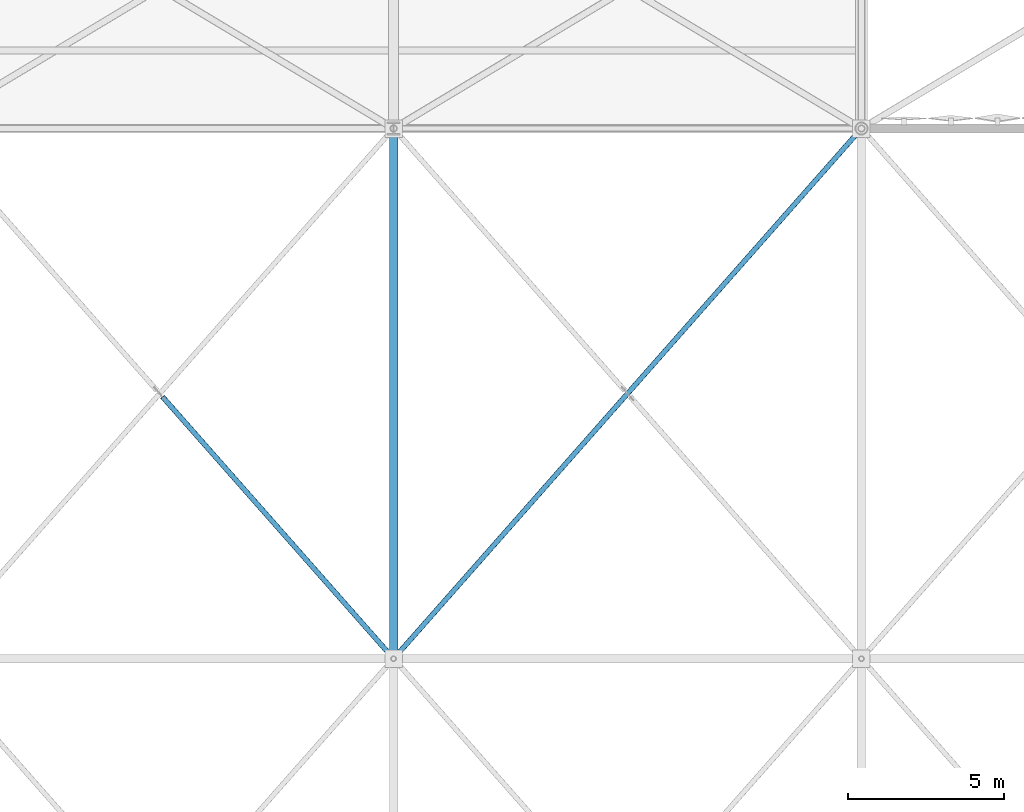
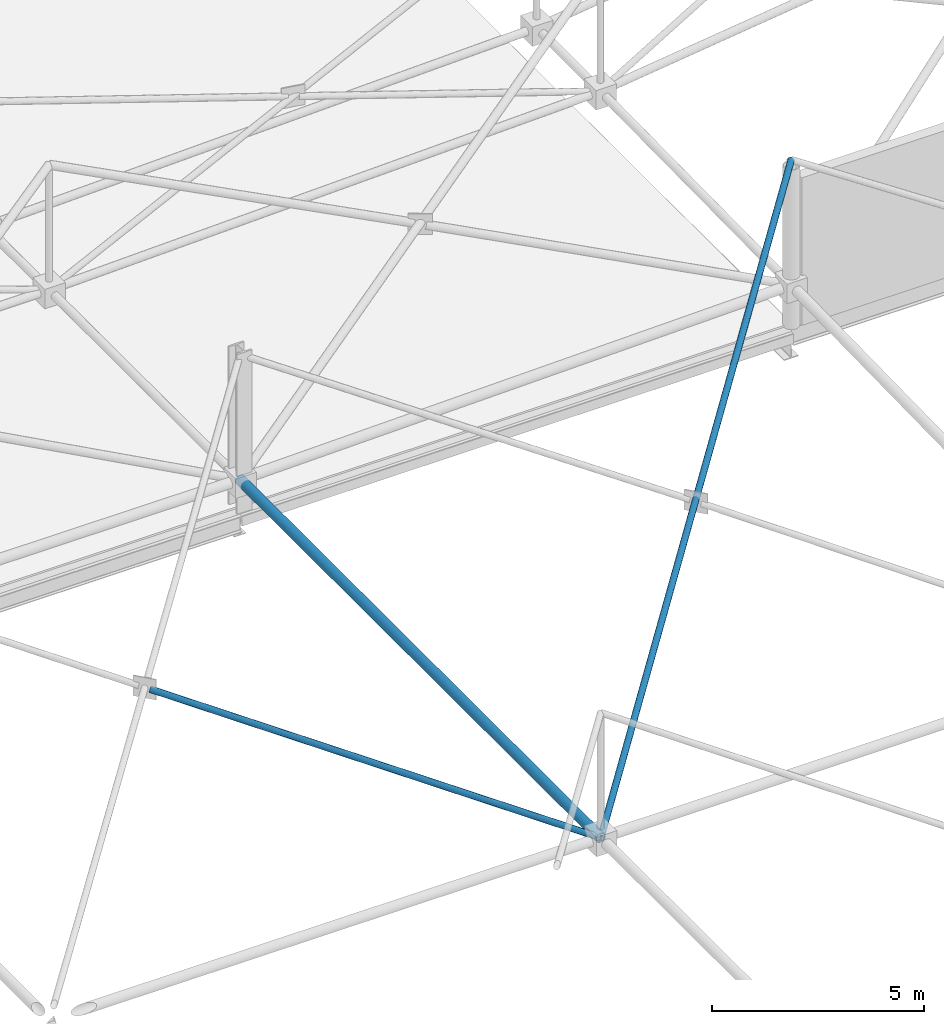
# One storey, part 102 of 224: 3 members.
"""IFC4 building model written with IfcOpenShell, lengths in metres."""

from ifc_helpers import new_model, si_unit, direction, frame, origin, origin_2d, place, context, subcontext, project, spatial, hollow_circle, extrude, material, material_profile, profile_set, type_object, element, save


model = new_model("IFC4")

# Units and contexts
model_context = context("Model", 3, precision=1e-05, world=origin(), true_north=direction((0.0, 1.0)))
body_context = subcontext(model_context, "Body", "Model", "MODEL_VIEW")
ifc_project = project(units=[si_unit("LENGTHUNIT", "METRE"), si_unit("AREAUNIT", "SQUARE_METRE"), si_unit("VOLUMEUNIT", "CUBIC_METRE"), si_unit("PLANEANGLEUNIT", "RADIAN"), si_unit("MASSUNIT", "GRAM", prefix="KILO")], contexts=[model_context])

# Site, building, storey
site_placement = place(None, origin())
site = spatial("IfcSite", under=ifc_project, at=site_placement, CompositionType="ELEMENT")
building_placement = place(site_placement, origin())
building = spatial("IfcBuilding", under=site, at=building_placement, Name="Qamarlyn Nura Convention Centre", CompositionType="ELEMENT")
storey_placement = place(building_placement, frame((0.0, 0.0, 10.800048828125)))
storey = spatial("IfcBuildingStorey", under=building, at=storey_placement, Name="L02", CompositionType="ELEMENT", Elevation=10.800048828125)

# Members
ifc_material = material(Name="Pearl-white PVDF steel ASTM A500 Grade C", Category="steel")
ifc_material_profile_1 = material_profile(ifc_material, hollow_circle(Radius=0.136474609375, WallThickness=0.012451171875, at=origin_2d()), Name="CHS273X12.5")
ifc_profile_set_1 = profile_set([ifc_material_profile_1], Name="Pearl-white PVDF steel ASTM A500 Grade C")
member_type_1 = type_object("IfcMemberType", Name="SF-BC-MAIN", PredefinedType="CHORD", material=ifc_profile_set_1)
member_1_placement = place(storey_placement, frame((75.0, 86.0, 0.800048828125), z_axis=(0.0, 1.0, 0.0), x_axis=(-1.0, 0.0, 0.0)))
element("IfcMember", 1, at=member_1_placement, inside=storey, type_object=member_type_1, Name="ROOF TRUSS space frame bottom chord Y7-6", PredefinedType="CHORD", context=body_context, shape_type="SweptSolid", body=[
    extrude(hollow_circle(Radius=0.136474609375, WallThickness=0.012451171875, at=origin_2d()), origin(), (0.0, 0.0, 1.0), 17.0),
])
ifc_material_profile_2 = material_profile(ifc_material, hollow_circle(Radius=0.084228515625, WallThickness=0.008056640625, at=origin_2d()), Name="CHS168.3X8")
ifc_profile_set_2 = profile_set([ifc_material_profile_2], Name="Pearl-white PVDF steel ASTM A500 Grade C")
member_type_2 = type_object("IfcMemberType", Name="SF-WEB-STD", PredefinedType="BRACE", material=ifc_profile_set_2)
member_2_placement = place(storey_placement, frame((75.0, 86.0, 0.800048828125), z_axis=(-0.653436826791, 0.740561737029, 0.156807611557), x_axis=(-0.749837855365, -0.661621637087, 0.0)))
element("IfcMember", 2, at=member_2_placement, inside=storey, type_object=member_type_2, Name="ROOF TRUSS space frame split diagonal B1 6-6", PredefinedType="BRACE", context=body_context, shape_type="SweptSolid", body=[
    extrude(hollow_circle(Radius=0.084228515625, WallThickness=0.008056640625, at=origin_2d()), origin(), (0.0, 0.0, 1.0), 11.337646484375),
])
member_3_placement = place(storey_placement, frame((75.0, 86.0, 0.800048828125), z_axis=(0.65180069958, 0.738707459524, 0.171659946613), x_axis=(-0.749837855365, 0.661621637087, 0.0)))
element("IfcMember", 3, at=member_3_placement, inside=storey, type_object=member_type_2, Name="ROOF TRUSS space frame diagonal A 7-6", PredefinedType="BRACE", context=body_context, shape_type="SweptSolid", body=[
    extrude(hollow_circle(Radius=0.084228515625, WallThickness=0.008056640625, at=origin_2d()), origin(), (0.0, 0.0, 1.0), 23.01318359375),
])

save(model, "model.ifc")
